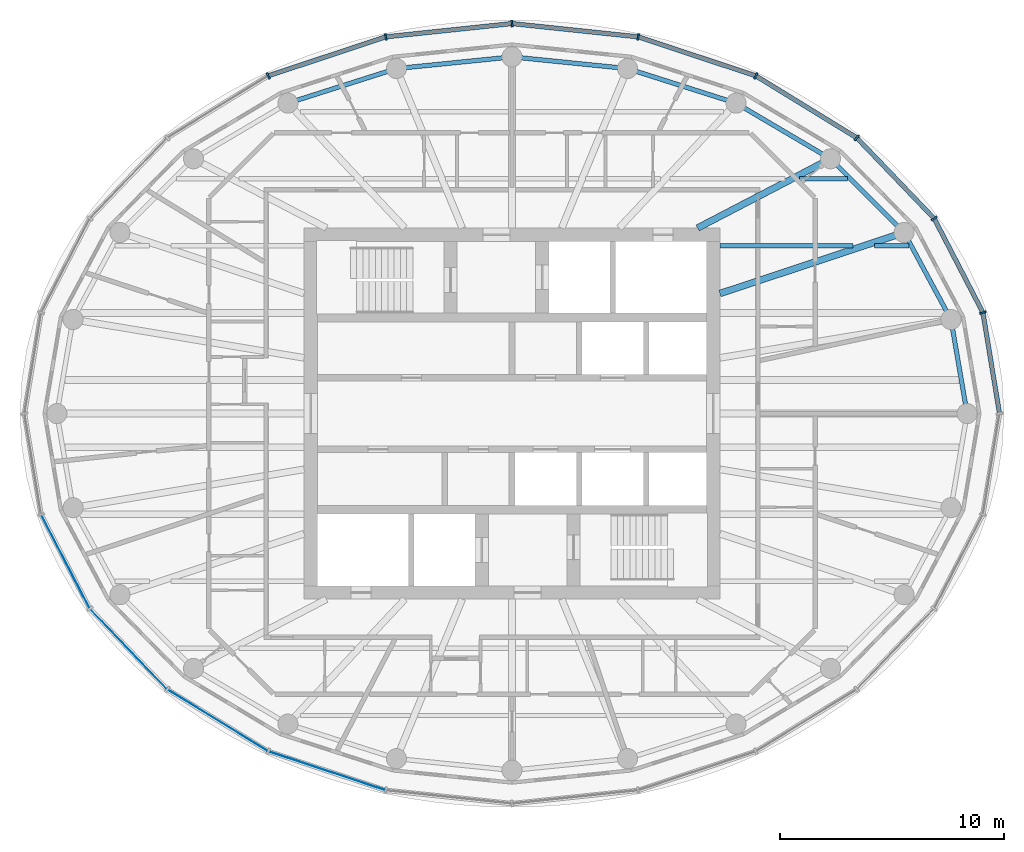
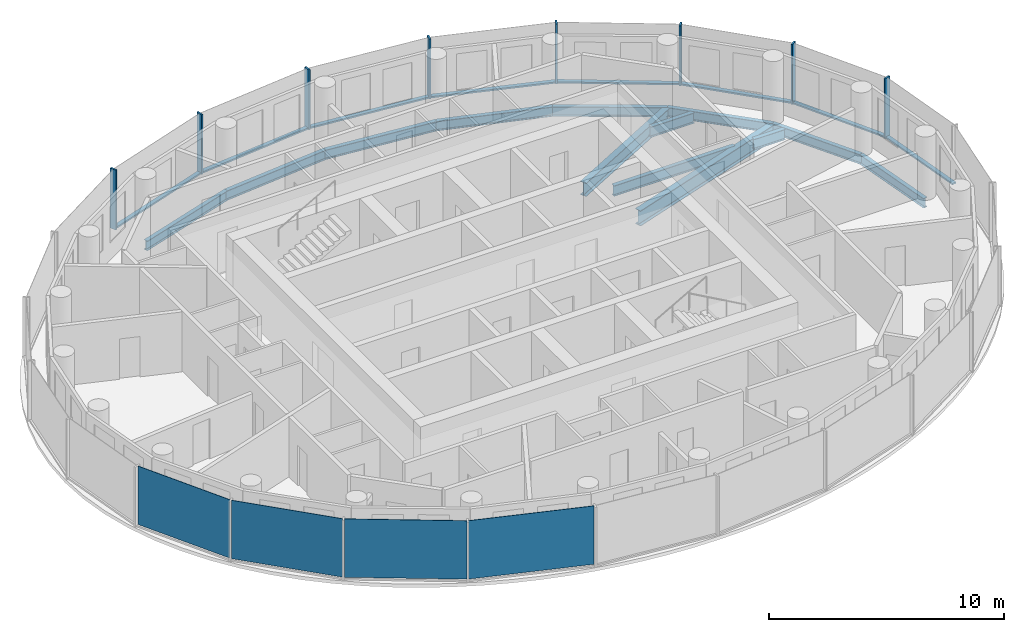
# One storey, part 3 of 11: 16 members, 13 beams, 4 plates, 3 elements without a shape of their own.
"""IFC4 building model written with IfcOpenShell, lengths in metres."""

from ifc_helpers import new_model, si_unit, direction, frame, origin, origin_2d, place, context, subcontext, project, spatial, rectangle, i_section, extrude, material, layer, layer_set, material_profile, profile_set, type_object, element, aggregate, save


model = new_model("IFC4")

# Units and contexts
model_context = context("Model", 3, precision=1e-05, world=origin(), true_north=direction((0.0, 1.0)))
body_context = subcontext(model_context, "Body", "Model", "MODEL_VIEW")
ifc_project = project(units=[si_unit("LENGTHUNIT", "METRE"), si_unit("AREAUNIT", "SQUARE_METRE"), si_unit("VOLUMEUNIT", "CUBIC_METRE"), si_unit("PLANEANGLEUNIT", "RADIAN"), si_unit("MASSUNIT", "GRAM", prefix="KILO")], contexts=[model_context])

# Site, building, storey
site_placement = place(None, origin())
site = spatial("IfcSite", under=ifc_project, at=site_placement, CompositionType="ELEMENT")
building_placement = place(site_placement, origin())
building = spatial("IfcBuilding", under=site, at=building_placement, Name="Hankou Lantern Tower", CompositionType="ELEMENT")
storey_placement = place(building_placement, frame((0.0, 0.0, 199.5)))
storey = spatial("IfcBuildingStorey", under=building, at=storey_placement, Name="L53", CompositionType="ELEMENT", Elevation=199.5)

# Beams
ifc_material_1 = material(Name="Steel Q355B", Category="steel")
ifc_material_profile_1 = material_profile(ifc_material_1, i_section(OverallWidth=0.199951171875, OverallDepth=0.5, WebThickness=0.010009765625, FlangeThickness=0.01611328125, FilletRadius=0.012939453125, at=origin_2d()), Name="HN500x200x10x16")
ifc_profile_set_1 = profile_set([ifc_material_profile_1], Name="Steel Q355B")
beam_type_1 = type_object("IfcBeamType", Name="EB5 RING BEAM HN500x200x10x16", PredefinedType="SPANDREL", material=ifc_profile_set_1)
beam_1_placement = place(storey_placement, frame((20.35009765625, 0.0, -0.429931640625), z_axis=(-0.168876512999, 0.98563721691, 0.0), x_axis=(-0.98563721691, -0.168876512999, 0.0)))
element("IfcBeam", 1, at=beam_1_placement, inside=storey, type_object=beam_type_1, Name="Ring beam R01-R02 L53", PredefinedType="SPANDREL", context=body_context, shape_type="SweptSolid", body=[
    extrude(i_section(OverallWidth=0.199951171875, OverallDepth=0.5, WebThickness=0.010009765625, FlangeThickness=0.01611328125, FilletRadius=0.012939453125, at=origin_2d()), origin(), (0.0, 0.0, 1.0), 4.26904296875),
])
beam_2_placement = place(storey_placement, frame((19.629150390625, 4.207763671875, -0.429931640625), z_axis=(-0.474491806611, 0.880259919262, 0.0), x_axis=(-0.880259919262, -0.474491806611, 0.0)))
element("IfcBeam", 2, at=beam_2_placement, inside=storey, type_object=beam_type_1, Name="Ring beam R02-R03 L53", PredefinedType="SPANDREL", context=body_context, shape_type="SweptSolid", body=[
    extrude(i_section(OverallWidth=0.199951171875, OverallDepth=0.5, WebThickness=0.010009765625, FlangeThickness=0.01611328125, FilletRadius=0.012939453125, at=origin_2d()), origin(), (0.0, 0.0, 1.0), 4.419189453125),
])
beam_3_placement = place(storey_placement, frame((17.5322265625, 8.097900390625, -0.429931640625), z_axis=(-0.706608588034, 0.707604623583, 0.0), x_axis=(-0.707604623583, -0.706608588034, 0.0)))
element("IfcBeam", 3, at=beam_3_placement, inside=storey, type_object=beam_type_1, Name="Ring beam R03-R04 L53", PredefinedType="SPANDREL", context=body_context, shape_type="SweptSolid", body=[
    extrude(i_section(OverallWidth=0.199951171875, OverallDepth=0.5, WebThickness=0.010009765625, FlangeThickness=0.01611328125, FilletRadius=0.012939453125, at=origin_2d()), origin(), (0.0, 0.0, 1.0), 4.6572265625),
])
beam_4_placement = place(storey_placement, frame((14.241455078125, 11.393310546875, -0.429931640625), z_axis=(-0.861422897323, 0.507888365655, 0.0), x_axis=(-0.507888365655, -0.861422897323, 0.0)))
element("IfcBeam", 4, at=beam_4_placement, inside=storey, type_object=beam_type_1, Name="Ring beam R04-R05 L53", PredefinedType="SPANDREL", context=body_context, shape_type="SweptSolid", body=[
    extrude(i_section(OverallWidth=0.199951171875, OverallDepth=0.5, WebThickness=0.010009765625, FlangeThickness=0.01611328125, FilletRadius=0.012939453125, at=origin_2d()), origin(), (0.0, 0.0, 1.0), 4.901611328125),
])
beam_5_placement = place(storey_placement, frame((10.01904296875, 13.8828125, -0.429931640625), z_axis=(-0.952887359315, 0.303324381574, 0.0), x_axis=(-0.303324381574, -0.952887359315, 0.0)))
element("IfcBeam", 5, at=beam_5_placement, inside=storey, type_object=beam_type_1, Name="Ring beam R05-R06 L53", PredefinedType="SPANDREL", context=body_context, shape_type="SweptSolid", body=[
    extrude(i_section(OverallWidth=0.199951171875, OverallDepth=0.5, WebThickness=0.010009765625, FlangeThickness=0.01611328125, FilletRadius=0.012939453125, at=origin_2d()), origin(), (0.0, 0.0, 1.0), 5.091796875),
])
for number, where, z_axis, x_axis, name in (
    (6, (5.167236328125, 15.42724609375, -0.429931640625), (-0.994922507736, 0.100643944676, 0.0), (-0.100643944676, -0.994922507736, 0.0), "Ring beam R06-R07 L53"),
    (7, (0.0, 15.949951171875, -0.429931640625), (-0.994922507736, -0.100643944676, 0.0), (0.100643944676, -0.994922507736, 0.0), "Ring beam R07-R08 L53"),
):
    element("IfcBeam", number, at=place(storey_placement, frame(where, z_axis=z_axis, x_axis=x_axis)), inside=storey, type_object=beam_type_1, Name=name, PredefinedType="SPANDREL", context=body_context, shape_type="SweptSolid", body=[
        extrude(i_section(OverallWidth=0.199951171875, OverallDepth=0.5, WebThickness=0.010009765625, FlangeThickness=0.01611328125, FilletRadius=0.012939453125, at=origin_2d()), origin(), (0.0, 0.0, 1.0), 5.193603515625),
    ])
beam_6_placement = place(storey_placement, frame((-5.167236328125, 15.42724609375, -0.429931640625), z_axis=(-0.952887359315, -0.303324381574, 0.0), x_axis=(0.303324381574, -0.952887359315, 0.0)))
element("IfcBeam", 8, at=beam_6_placement, inside=storey, type_object=beam_type_1, Name="Ring beam R08-R09 L53", PredefinedType="SPANDREL", context=body_context, shape_type="SweptSolid", body=[
    extrude(i_section(OverallWidth=0.199951171875, OverallDepth=0.5, WebThickness=0.010009765625, FlangeThickness=0.01611328125, FilletRadius=0.012939453125, at=origin_2d()), origin(), (0.0, 0.0, 1.0), 5.091796875),
])

# Curtain wall, members
ifc_material_2 = material(Name="Glass, dark grey tinted laminated", Category="glass")
curtain_wall_type = type_object("IfcCurtainWallType", Name="CWD OUTER SKIN SUITE", PredefinedType="USERDEFINED", material=ifc_material_2)
curtain_wall_1_placement = place(storey_placement, origin())
curtain_wall_1 = element("IfcCurtainWall", 9, at=curtain_wall_1_placement, inside=storey, type_object=curtain_wall_type, Name="CWD L53 OS1", ObjectType="OUTER SKIN SUITE", PredefinedType="USERDEFINED")
ifc_material_3 = material(Name="Aluminium, black anodised", Category="aluminium")
ifc_material_profile_2 = material_profile(ifc_material_3, rectangle(XDim=0.080078125, YDim=0.300048828125, at=origin_2d()), Name="MU1 80X300")
ifc_profile_set_2 = profile_set([ifc_material_profile_2], Name="Aluminium, black anodised")
member_type_1 = type_object("IfcMemberType", Name="MU1 OUTER SKIN MULLION 80X300", PredefinedType="MULLION", material=ifc_profile_set_2)
member_1_placement = place(storey_placement, frame((21.05712890625, 4.513916015625, 0.0), z_axis=(0.0, 0.0, 1.0), x_axis=(-0.317595577365, 0.94822626479, 0.0)))
member_1 = element("IfcMember", 10, at=member_1_placement, type_object=member_type_1, Name="CWD mullion 2", PredefinedType="MULLION", context=body_context, shape_type="SweptSolid", body=[
    extrude(rectangle(XDim=0.080078125, YDim=0.300048828125, at=origin_2d()), origin(), (0.0, 0.0, 1.0), 3.1201171875),
])
member_2_placement = place(storey_placement, frame((18.87939453125, 8.719970703125, 0.0), z_axis=(0.0, 0.0, 1.0), x_axis=(-0.585205735974, 0.810884854084, 0.0)))
member_2 = element("IfcMember", 11, at=member_2_placement, type_object=member_type_1, Name="CWD mullion 3", PredefinedType="MULLION", context=body_context, shape_type="SweptSolid", body=[
    extrude(rectangle(XDim=0.080078125, YDim=0.300048828125, at=origin_2d()), origin(), (0.0, 0.0, 1.0), 3.1201171875),
])
member_3_placement = place(storey_placement, frame((15.4150390625, 12.33203125, 0.0), z_axis=(0.0, 0.0, 1.0), x_axis=(-0.780868809444, 0.624695047553, 0.0)))
member_3 = element("IfcMember", 12, at=member_3_placement, type_object=member_type_1, Name="CWD mullion 4", PredefinedType="MULLION", context=body_context, shape_type="SweptSolid", body=[
    extrude(rectangle(XDim=0.080078125, YDim=0.300048828125, at=origin_2d()), origin(), (0.0, 0.0, 1.0), 3.1201171875),
])
member_4_placement = place(storey_placement, frame((10.89990234375, 15.103515625, 0.0), z_axis=(0.0, 0.0, 1.0), x_axis=(-0.907841299004, 0.419313934686, 0.0)))
member_4 = element("IfcMember", 13, at=member_4_placement, type_object=member_type_1, Name="CWD mullion 5", PredefinedType="MULLION", context=body_context, shape_type="SweptSolid", body=[
    extrude(rectangle(XDim=0.080078125, YDim=0.300048828125, at=origin_2d()), origin(), (0.0, 0.0, 1.0), 3.1201171875),
])
member_5_placement = place(storey_placement, frame((5.642333984375, 16.845703125, 0.0), z_axis=(0.0, 0.0, 1.0), x_axis=(-0.977787659625, 0.209597931016, 0.0)))
member_5 = element("IfcMember", 14, at=member_5_placement, type_object=member_type_1, Name="CWD mullion 6", PredefinedType="MULLION", context=body_context, shape_type="SweptSolid", body=[
    extrude(rectangle(XDim=0.080078125, YDim=0.300048828125, at=origin_2d()), origin(), (0.0, 0.0, 1.0), 3.1201171875),
])

curtain_wall_2_placement = place(storey_placement, origin())
curtain_wall_2 = element("IfcCurtainWall", 15, at=curtain_wall_2_placement, inside=storey, type_object=curtain_wall_type, Name="CWD L53 OS2", ObjectType="OUTER SKIN SUITE", PredefinedType="USERDEFINED")
member_6_placement = place(storey_placement, frame((0.0, 17.43994140625, 0.0), z_axis=(0.0, 0.0, 1.0), x_axis=(-0.994499359107, -0.104742659579, 0.0)))
member_6 = element("IfcMember", 16, at=member_6_placement, type_object=member_type_1, Name="CWD mullion 1", PredefinedType="MULLION", context=body_context, shape_type="SweptSolid", body=[
    extrude(rectangle(XDim=0.080078125, YDim=0.300048828125, at=origin_2d()), origin(), (0.0, 0.0, 1.0), 3.1201171875),
])
member_7_placement = place(storey_placement, frame((-5.642333984375, 16.845703125, 0.0), z_axis=(0.0, 0.0, 1.0), x_axis=(-0.977787659625, -0.209597931016, 0.0)))
member_7 = element("IfcMember", 17, at=member_7_placement, type_object=member_type_1, Name="CWD mullion 2", PredefinedType="MULLION", context=body_context, shape_type="SweptSolid", body=[
    extrude(rectangle(XDim=0.080078125, YDim=0.300048828125, at=origin_2d()), origin(), (0.0, 0.0, 1.0), 3.1201171875),
])
member_8_placement = place(storey_placement, frame((-10.89990234375, 15.103515625, 0.0), z_axis=(0.0, 0.0, 1.0), x_axis=(-0.907841299004, -0.419313934686, 0.0)))
member_8 = element("IfcMember", 18, at=member_8_placement, type_object=member_type_1, Name="CWD mullion 3", PredefinedType="MULLION", context=body_context, shape_type="SweptSolid", body=[
    extrude(rectangle(XDim=0.080078125, YDim=0.300048828125, at=origin_2d()), origin(), (0.0, 0.0, 1.0), 3.1201171875),
])

# Beams
ifc_material_4 = material(Name="Steel Q355B", Category="steel")
ifc_material_profile_3 = material_profile(ifc_material_4, i_section(OverallWidth=0.300048828125, OverallDepth=0.800048828125, WebThickness=0.013916015625, FlangeThickness=0.02587890625, FilletRadius=0.01806640625, at=origin_2d()), Name="HN800x300x14x26")
ifc_profile_set_3 = profile_set([ifc_material_profile_3], Name="Steel Q355B")
beam_type_2 = type_object("IfcBeamType", Name="RB11 RADIAL BEAM HN800x300x14x26", PredefinedType="BEAM", material=ifc_profile_set_3)
beam_7_placement = place(storey_placement, frame((9.300048828125, 5.369384765625, -0.580078125), z_axis=(0.949219608576, 0.314614263337, 0.0), x_axis=(-0.314614263337, 0.949219608576, 0.0)))
element("IfcBeam", 19, at=beam_7_placement, inside=storey, type_object=beam_type_2, Name="Radial beam R03 L53", PredefinedType="BEAM", context=body_context, shape_type="SweptSolid", body=[
    extrude(i_section(OverallWidth=0.300048828125, OverallDepth=0.800048828125, WebThickness=0.013916015625, FlangeThickness=0.02587890625, FilletRadius=0.01806640625, at=origin_2d()), origin(), (0.0, 0.0, 1.0), 8.672607421875),
])
ifc_material_5 = material(Name="Steel Q355B", Category="steel")
ifc_material_profile_4 = material_profile(ifc_material_5, i_section(OverallWidth=0.300048828125, OverallDepth=0.699951171875, WebThickness=0.012939453125, FlangeThickness=0.02392578125, FilletRadius=0.01806640625, at=origin_2d()), Name="HN700x300x13x24")
ifc_profile_set_4 = profile_set([ifc_material_profile_4], Name="Steel Q355B")
beam_type_3 = type_object("IfcBeamType", Name="RB9 RADIAL BEAM HN700x300x13x24", PredefinedType="BEAM", material=ifc_profile_set_4)
beam_8_placement = place(storey_placement, frame((8.300048828125, 8.300048828125, -0.530029296875), z_axis=(0.886988734783, 0.461791061378, 0.0), x_axis=(-0.461791061378, 0.886988734783, 0.0)))
element("IfcBeam", 20, at=beam_8_placement, inside=storey, type_object=beam_type_3, Name="Radial beam R04 L53", PredefinedType="BEAM", context=body_context, shape_type="SweptSolid", body=[
    extrude(i_section(OverallWidth=0.300048828125, OverallDepth=0.699951171875, WebThickness=0.012939453125, FlangeThickness=0.02392578125, FilletRadius=0.01806640625, at=origin_2d()), origin(), (0.0, 0.0, 1.0), 6.698486328125),
])
ifc_material_6 = material(Name="Steel Q355B", Category="steel")
ifc_material_profile_5 = material_profile(ifc_material_6, i_section(OverallWidth=0.199951171875, OverallDepth=0.550048828125, WebThickness=0.010009765625, FlangeThickness=0.01611328125, FilletRadius=0.012939453125, at=origin_2d()), Name="HN550x200x10x16")
ifc_profile_set_5 = profile_set([ifc_material_profile_5], Name="Steel Q355B")
beam_type_4 = type_object("IfcBeamType", Name="SB6 SECONDARY BEAM HN550x200x10x16", PredefinedType="JOIST", material=ifc_profile_set_5)
beam_9_placement = place(storey_placement, frame((9.300048828125, 7.5, -0.455078125), z_axis=(1.0, 0.0, 0.0), x_axis=(0.0, 1.0, 0.0)))
element("IfcBeam", 21, at=beam_9_placement, inside=storey, type_object=beam_type_4, Name="Floor joist J027 L53", PredefinedType="JOIST", context=body_context, shape_type="SweptSolid", body=[
    extrude(i_section(OverallWidth=0.199951171875, OverallDepth=0.550048828125, WebThickness=0.010009765625, FlangeThickness=0.01611328125, FilletRadius=0.012939453125, at=origin_2d()), origin(), (0.0, 0.0, 1.0), 5.95166015625),
])
beam_10_placement = place(storey_placement, frame((16.205322265625, 7.5, -0.455078125), z_axis=(1.0, 0.0, 0.0), x_axis=(0.0, 1.0, 0.0)))
element("IfcBeam", 22, at=beam_10_placement, inside=storey, type_object=beam_type_4, Name="Floor joist J028 L53", PredefinedType="JOIST", context=body_context, shape_type="SweptSolid", body=[
    extrude(i_section(OverallWidth=0.199951171875, OverallDepth=0.550048828125, WebThickness=0.010009765625, FlangeThickness=0.01611328125, FilletRadius=0.012939453125, at=origin_2d()), origin(), (0.0, 0.0, 1.0), 1.53564453125),
])
beam_11_placement = place(storey_placement, frame((12.8505859375, 10.5, -0.455078125), z_axis=(1.0, 0.0, 0.0), x_axis=(0.0, 1.0, 0.0)))
element("IfcBeam", 23, at=beam_11_placement, inside=storey, type_object=beam_type_4, Name="Floor joist J036 L53", PredefinedType="JOIST", context=body_context, shape_type="SweptSolid", body=[
    extrude(i_section(OverallWidth=0.199951171875, OverallDepth=0.550048828125, WebThickness=0.010009765625, FlangeThickness=0.01611328125, FilletRadius=0.012939453125, at=origin_2d()), origin(), (0.0, 0.0, 1.0), 2.1416015625),
])

# Member
ifc_material_7 = material(Name="Aluminium, black anodised", Category="aluminium")
ifc_material_profile_6 = material_profile(ifc_material_7, rectangle(XDim=0.199951171875, YDim=0.080078125, at=origin_2d()), Name="TR1 200X80")
ifc_profile_set_6 = profile_set([ifc_material_profile_6], Name="Aluminium, black anodised")
member_type_2 = type_object("IfcMemberType", Name="TR1 OUTER SKIN TRANSOM 200X80", PredefinedType="USERDEFINED", material=ifc_profile_set_6)
member_9_placement = place(storey_placement, frame((21.79345703125, 0.03955078125, 0.0400390625), z_axis=(-0.162363822839, 0.986730960816, 0.0), x_axis=(-0.986730960816, -0.162363822839, 0.0)))
member_9 = element("IfcMember", 24, at=member_9_placement, type_object=member_type_2, Name="CWD transom 1", ObjectType="TRANSOM", PredefinedType="USERDEFINED", context=body_context, shape_type="SweptSolid", body=[
    extrude(rectangle(XDim=0.199951171875, YDim=0.080078125, at=origin_2d()), origin(), (0.0, 0.0, 1.0), 4.494384765625),
])

member_10_placement = place(storey_placement, frame((21.038818359375, 4.54931640625, 0.0400390625), z_axis=(-0.45979371115, 0.888025755925, 0.0), x_axis=(-0.888025755925, -0.45979371115, 0.0)))
member_10 = element("IfcMember", 25, at=member_10_placement, type_object=member_type_2, Name="CWD transom 2", ObjectType="TRANSOM", PredefinedType="USERDEFINED", context=body_context, shape_type="SweptSolid", body=[
    extrude(rectangle(XDim=0.199951171875, YDim=0.080078125, at=origin_2d()), origin(), (0.0, 0.0, 1.0), 4.65673828125),
])

member_11_placement = place(storey_placement, frame((18.8515625, 8.748779296875, 0.0400390625), z_axis=(-0.692204633274, 0.721701285626, 0.0), x_axis=(-0.721701285626, -0.692204633274, 0.0)))
member_11 = element("IfcMember", 26, at=member_11_placement, type_object=member_type_2, Name="CWD transom 3", ObjectType="TRANSOM", PredefinedType="USERDEFINED", context=body_context, shape_type="SweptSolid", body=[
    extrude(rectangle(XDim=0.199951171875, YDim=0.080078125, at=origin_2d()), origin(), (0.0, 0.0, 1.0), 4.9248046875),
])

member_12_placement = place(storey_placement, frame((15.380859375, 12.352783203125, 0.0400390625), z_axis=(-0.852234544008, 0.523159900986, 0.0), x_axis=(-0.523159900986, -0.852234544008, 0.0)))
member_12 = element("IfcMember", 27, at=member_12_placement, type_object=member_type_2, Name="CWD transom 4", ObjectType="TRANSOM", PredefinedType="USERDEFINED", context=body_context, shape_type="SweptSolid", body=[
    extrude(rectangle(XDim=0.199951171875, YDim=0.080078125, at=origin_2d()), origin(), (0.0, 0.0, 1.0), 5.2177734375),
])

member_13_placement = place(storey_placement, frame((10.862060546875, 15.115966796875, 0.0400390625), z_axis=(-0.949231947668, 0.314577032739, 0.0), x_axis=(-0.314577032739, -0.949231947668, 0.0)))
member_13 = element("IfcMember", 28, at=member_13_placement, type_object=member_type_2, Name="CWD transom 5", ObjectType="TRANSOM", PredefinedType="USERDEFINED", context=body_context, shape_type="SweptSolid", body=[
    extrude(rectangle(XDim=0.199951171875, YDim=0.080078125, at=origin_2d()), origin(), (0.0, 0.0, 1.0), 5.458984375),
])

member_14_placement = place(storey_placement, frame((5.6025390625, 16.849853515625, 0.0400390625), z_axis=(-0.994498275726, 0.104752945435, 0.0), x_axis=(-0.104752945435, -0.994498275726, 0.0)))
member_14 = element("IfcMember", 29, at=member_14_placement, type_object=member_type_2, Name="CWD transom 6", ObjectType="TRANSOM", PredefinedType="USERDEFINED", context=body_context, shape_type="SweptSolid", body=[
    extrude(rectangle(XDim=0.199951171875, YDim=0.080078125, at=origin_2d()), origin(), (0.0, 0.0, 1.0), 5.593505859375),
])

aggregate(curtain_wall_1, [member_1, member_2, member_3, member_4, member_5, member_9, member_10, member_11, member_12, member_13, member_14])

member_15_placement = place(storey_placement, frame((-0.039794921875, 17.435791015625, 0.0400390625), z_axis=(-0.994498275726, -0.104752945435, 0.0), x_axis=(0.104752945435, -0.994498275726, 0.0)))
member_15 = element("IfcMember", 30, at=member_15_placement, type_object=member_type_2, Name="CWD transom 1", ObjectType="TRANSOM", PredefinedType="USERDEFINED", context=body_context, shape_type="SweptSolid", body=[
    extrude(rectangle(XDim=0.199951171875, YDim=0.080078125, at=origin_2d()), origin(), (0.0, 0.0, 1.0), 5.593505859375),
])

member_16_placement = place(storey_placement, frame((-5.68017578125, 16.833251953125, 0.0400390625), z_axis=(-0.949231947668, -0.314577032739, 0.0), x_axis=(0.314577032739, -0.949231947668, 0.0)))
member_16 = element("IfcMember", 31, at=member_16_placement, type_object=member_type_2, Name="CWD transom 2", ObjectType="TRANSOM", PredefinedType="USERDEFINED", context=body_context, shape_type="SweptSolid", body=[
    extrude(rectangle(XDim=0.199951171875, YDim=0.080078125, at=origin_2d()), origin(), (0.0, 0.0, 1.0), 5.458984375),
])

aggregate(curtain_wall_2, [member_6, member_7, member_8, member_15, member_16])

# Curtain wall, plates
curtain_wall_3_placement = place(storey_placement, origin())
curtain_wall_3 = element("IfcCurtainWall", 32, at=curtain_wall_3_placement, inside=storey, type_object=curtain_wall_type, Name="CWD L53 OS3", ObjectType="OUTER SKIN SUITE", PredefinedType="USERDEFINED")
ifc_material_8 = material(Name="Glass, dark grey tinted laminated", Category="glass")
ifc_layer = layer(ifc_material_8, 0.02392578125)
ifc_layer_set = layer_set([ifc_layer], Name="Glass, dark grey tinted laminated")
plate_type = type_object("IfcPlateType", Name="PN1 OUTER SKIN GLASS PANEL", PredefinedType="CURTAIN_PANEL", material=ifc_layer_set)
plate_1_placement = place(storey_placement, frame((-19.96826171875, -6.616943359375, 0.080078125), z_axis=(0.0, 0.0, 1.0), x_axis=(0.459791091957, -0.888027112062, 0.0)))
plate_1 = element("IfcPlate", 33, at=plate_1_placement, type_object=plate_type, Name="CWD glass panel 2", PredefinedType="CURTAIN_PANEL", context=body_context, shape_type="SweptSolid", body=[
    extrude(rectangle(XDim=4.656494140625, YDim=0.02392578125, at=origin_2d()), origin(), (0.0, 0.0, 1.0), 3.0400390625),
])
plate_2_placement = place(storey_placement, frame((-17.147216796875, -10.52587890625, 0.080078125), z_axis=(0.0, 0.0, 1.0), x_axis=(0.692215809936, -0.721690565599, 0.0)))
plate_2 = element("IfcPlate", 34, at=plate_2_placement, type_object=plate_type, Name="CWD glass panel 3", PredefinedType="CURTAIN_PANEL", context=body_context, shape_type="SweptSolid", body=[
    extrude(rectangle(XDim=4.9248046875, YDim=0.02392578125, at=origin_2d()), origin(), (0.0, 0.0, 1.0), 3.0400390625),
])
plate_3_placement = place(storey_placement, frame((-13.157470703125, -13.7177734375, 0.080078125), z_axis=(0.0, 0.0, 1.0), x_axis=(0.852237151549, -0.523155653242, 0.0)))
plate_3 = element("IfcPlate", 35, at=plate_3_placement, type_object=plate_type, Name="CWD glass panel 4", PredefinedType="CURTAIN_PANEL", context=body_context, shape_type="SweptSolid", body=[
    extrude(rectangle(XDim=5.2177734375, YDim=0.02392578125, at=origin_2d()), origin(), (0.0, 0.0, 1.0), 3.0400390625),
])
plate_4_placement = place(storey_placement, frame((-8.271240234375, -15.974609375, 0.080078125), z_axis=(0.0, 0.0, 1.0), x_axis=(0.949240677293, -0.31455068999, 0.0)))
plate_4 = element("IfcPlate", 36, at=plate_4_placement, type_object=plate_type, Name="CWD glass panel 5", PredefinedType="CURTAIN_PANEL", context=body_context, shape_type="SweptSolid", body=[
    extrude(rectangle(XDim=5.458984375, YDim=0.02392578125, at=origin_2d()), origin(), (0.0, 0.0, 1.0), 3.0400390625),
])
aggregate(curtain_wall_3, [plate_1, plate_2, plate_3, plate_4])

save(model, "model.ifc")
